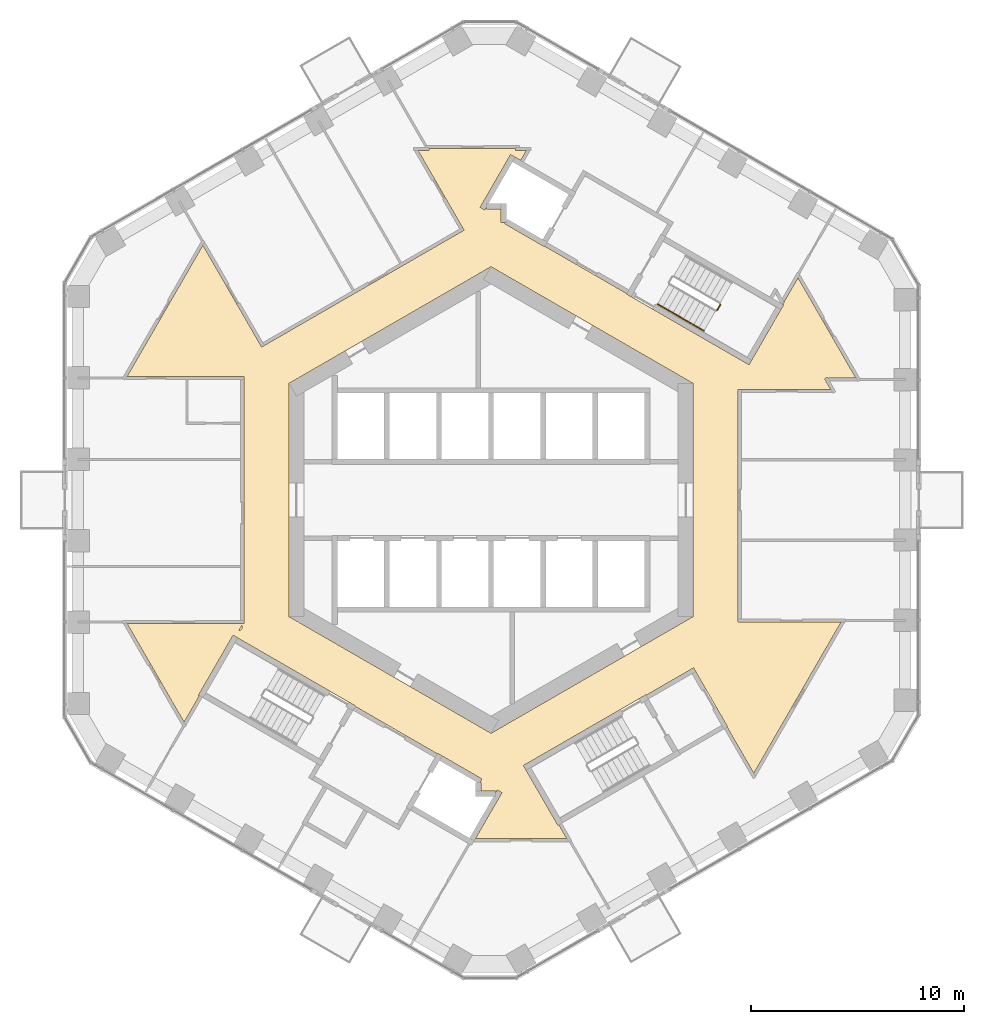
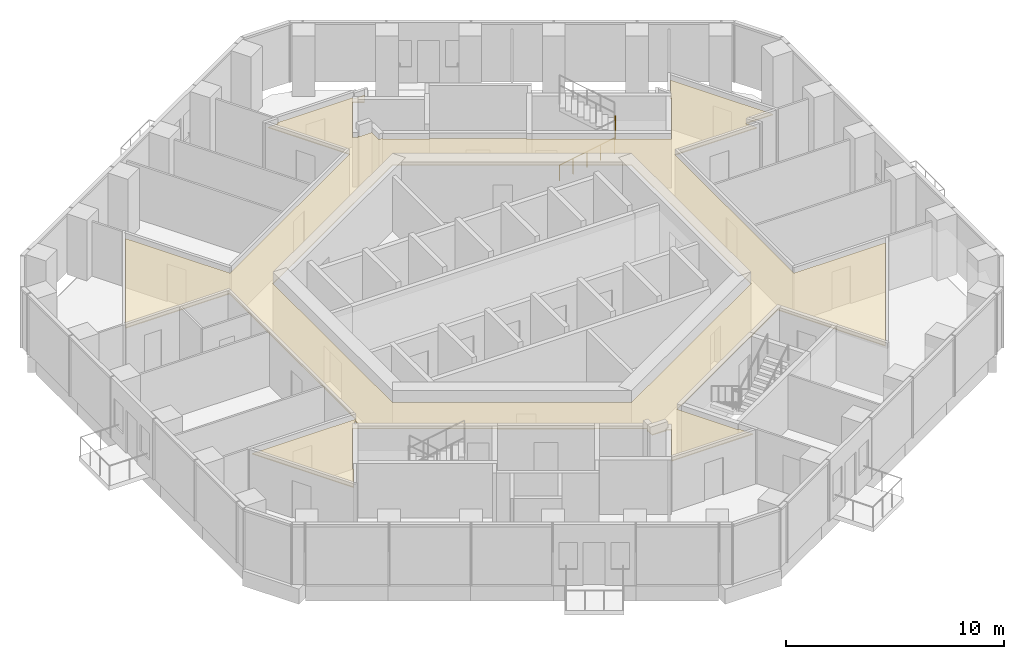
# One storey, part 19 of 20: 3 railings, 1 covering.
"""IFC4 building model written with IfcOpenShell, lengths in metres."""

from ifc_helpers import new_model, si_unit, direction, frame, origin, origin_2d, place, context, subcontext, project, spatial, polyline, circle, outline, extrude, material, layer, layer_set, type_object, element, save


model = new_model("IFC4")

# Units and contexts
model_context = context("Model", 3, precision=1e-05, world=origin(), true_north=direction((0.0, 1.0)))
body_context = subcontext(model_context, "Body", "Model", "MODEL_VIEW")
ifc_project = project(units=[si_unit("LENGTHUNIT", "METRE"), si_unit("AREAUNIT", "SQUARE_METRE"), si_unit("VOLUMEUNIT", "CUBIC_METRE"), si_unit("PLANEANGLEUNIT", "RADIAN"), si_unit("MASSUNIT", "GRAM", prefix="KILO")], contexts=[model_context])

# Site, building, storey
site_placement = place(None, origin())
site = spatial("IfcSite", under=ifc_project, at=site_placement, CompositionType="ELEMENT")
building_placement = place(site_placement, origin())
building = spatial("IfcBuilding", under=site, at=building_placement, Name="Ayvan Gate Tower", CompositionType="ELEMENT")
storey_placement = place(building_placement, frame((0.0, 0.0, 86.5)))
storey = spatial("IfcBuildingStorey", under=building, at=storey_placement, Name="L22", CompositionType="ELEMENT", Elevation=86.5)

# Covering
ifc_material_1 = material(Name="Plasterboard suspended ceiling")
ifc_layer = layer(ifc_material_1, 0.050048828125)
ifc_layer_set = layer_set([ifc_layer], Name="Plasterboard suspended ceiling")
covering_type = type_object("IfcCoveringType", Name="CT-SUSP-50", PredefinedType="CEILING", material=ifc_layer_set)
covering_placement = place(storey_placement, frame((0.0, 0.0, 2.699951171875)))
element("IfcCovering", 1, at=covering_placement, inside=storey, type_object=covering_type, Name="Ceiling Ring Corridor L22", PredefinedType="CEILING", context=body_context, shape_type="SweptSolid", body=[
    extrude(outline(polyline([(-11.625, 5.806396484375), (-17.11669921875, 5.806396484375), (-13.55126953125, 11.98193359375), (-10.78759765625, 7.1953125), (-10.65771484375, 7.270263671875), (-1.2705078125, 12.689697265625), (-1.33544921875, 12.802490234375), (-3.433349609375, 16.43603515625), (-2.910888671875, 16.43603515625), (-2.910888671875, 16.526611328125), (1.143798828125, 16.526611328125), (1.143798828125, 16.43603515625), (1.666259765625, 16.43603515625), (1.395263671875, 15.966552734375), (1.135498046875, 16.116455078125), (0.918701171875, 16.241455078125), (-0.511474609375, 13.76416015625), (-0.294921875, 13.63916015625), (-0.215576171875, 13.776611328125), (-0.215576171875, 13.68505859375), (0.47509765625, 13.68505859375), (0.47509765625, 13.03857421875), (0.672119140625, 13.03857421875), (0.645751953125, 12.992919921875), (2.518310546875, 11.91162109375), (2.53076171875, 11.933349609375), (6.384521484375, 9.70849609375), (6.3720703125, 9.686767578125), (6.588623046875, 9.561767578125), (12.131103515625, 6.36181640625), (12.24609375, 6.56103515625), (13.631103515625, 8.959716796875), (13.756103515625, 9.176513671875), (13.681396484375, 9.219482421875), (13.7919921875, 9.283447265625), (13.744384765625, 9.365966796875), (13.7919921875, 9.33837890625), (14.434814453125, 10.45166015625), (17.15234375, 5.74462890625), (15.866943359375, 5.74462890625), (15.866943359375, 5.689697265625), (15.8193359375, 5.772216796875), (15.689453125, 5.697021484375), (15.9794921875, 5.194580078125), (11.625, 5.194580078125), (11.625, -5.74462890625), (16.45947265625, -5.74462890625), (12.356201171875, -12.8515625), (11.102294921875, -10.6796875), (11.123779296875, -10.667236328125), (9.623779296875, -8.069091796875), (9.52392578125, -7.89599609375), (7.2939453125, -9.183349609375), (7.281494140625, -9.16162109375), (1.522216796875, -12.48681640625), (1.647216796875, -12.703369140625), (3.147216796875, -15.30126953125), (3.190673828125, -15.2763671875), (3.566162109375, -15.926513671875), (-0.737060546875, -15.926513671875), (0.511474609375, -13.76416015625), (0.294921875, -13.63916015625), (0.215576171875, -13.776611328125), (0.215576171875, -13.68505859375), (-0.47509765625, -13.68505859375), (-0.47509765625, -13.28857421875), (-0.52783203125, -13.28857421875), (-0.42919921875, -13.117919921875), (-2.284423828125, -12.046630859375), (-2.518310546875, -11.91162109375), (-2.53076171875, -11.933349609375), (-6.384521484375, -9.70849609375), (-6.3720703125, -9.686767578125), (-11.897216796875, -6.49658203125), (-12.131103515625, -6.36181640625), (-13.756103515625, -9.17626953125), (-13.712890625, -9.201416015625), (-14.434814453125, -10.45166015625), (-17.11669921875, -5.806396484375), (-11.625, -5.806396484375), (-11.625, 5.806396484375)]), holes=[polyline([(9.5, 5.48486328125), (8.771728515625, 5.9052734375), (0.0, 10.9697265625), (-8.771728515625, 5.9052734375), (-9.5, 5.48486328125), (-9.5, -5.48486328125), (-8.771728515625, -5.9052734375), (0.0, -10.9697265625), (8.38720703125, -6.127197265625), (8.771728515625, -5.9052734375), (9.5, -5.48486328125), (9.5, 5.48486328125)]), polyline([(-11.699951171875, -6.062255859375), (-11.699951171875, -5.864990234375), (-11.870849609375, -6.160888671875), (-11.699951171875, -6.062255859375)])]), origin(), (0.0, 0.0, 1.0), 0.050048828125),
])

# Railings
ifc_material_2 = material(Name="Stainless steel balustrade", Category="steel")
railing_type_1 = type_object("IfcRailingType", Name="RL-GUARD-1100", PredefinedType="GUARDRAIL", material=ifc_material_2)
railing_1_placement = place(storey_placement, frame((10.6318359375, 8.9248046875, 1.699951171875)))
element("IfcRailing", 2, at=railing_1_placement, inside=storey, type_object=railing_type_1, Name="L22 STS1 stair guard 2", PredefinedType="GUARDRAIL", context=body_context, shape_type="SweptSolid", body=[
    extrude(circle(Radius=0.02392578125, at=origin_2d()), frame((0.0, 0.0, 1.076171875), z_axis=(0.499949632511, 0.866054481515, 0.0), x_axis=(-0.866054481515, 0.499949632511, 0.0)), (0.0, 0.0, 1.0), 0.31005859375),
    extrude(circle(Radius=0.02099609375, at=origin_2d()), origin(), (0.0, 0.0, 1.0), 1.052001953125),
    extrude(circle(Radius=0.02099609375, at=origin_2d()), frame((0.155029296875, 0.2685546875, 0.0)), (0.0, 0.0, 1.0), 1.052001953125),
])
railing_type_2 = type_object("IfcRailingType", Name="RL-HANDRAIL-900", PredefinedType="HANDRAIL", material=ifc_material_2)
railing_2_placement = place(storey_placement, frame((7.8310546875, 9.2138671875, 0.169921875)))
element("IfcRailing", 3, at=railing_2_placement, inside=storey, type_object=railing_type_2, Name="L22 STS1 stair handrail 1", PredefinedType="HANDRAIL", context=body_context, shape_type="SweptSolid", body=[
    extrude(circle(Radius=0.02392578125, at=origin_2d()), frame((0.0, 0.0, 0.8759765625), z_axis=(0.740292964666, -0.42728318766, 0.519033143459), x_axis=(0.499890179513, 0.866088799389, 0.0)), (0.0, 0.0, 1.0), 1.47412109375),
    extrude(circle(Radius=0.02099609375, at=origin_2d()), origin(), (0.0, 0.0, 1.0), 0.851806640625),
    extrude(circle(Radius=0.02099609375, at=origin_2d()), frame((0.545654296875, -0.31494140625, 0.382568359375)), (0.0, 0.0, 1.0), 0.851806640625),
    extrude(circle(Radius=0.02099609375, at=origin_2d()), frame((1.09130859375, -0.6298828125, 0.76513671875)), (0.0, 0.0, 1.0), 0.851806640625),
])
railing_3_placement = place(storey_placement, frame((8.92236328125, 8.583984375, 0.93505859375)))
element("IfcRailing", 4, at=railing_3_placement, inside=storey, type_object=railing_type_2, Name="L22 STS1 stair handrail 2", PredefinedType="HANDRAIL", context=body_context, shape_type="SweptSolid", body=[
    extrude(circle(Radius=0.02392578125, at=origin_2d()), frame((0.0, 0.0, 0.8759765625), z_axis=(0.740229329464, -0.427507697325, 0.518939021976), x_axis=(0.50011940292, 0.865956455501, 0.0)), (0.0, 0.0, 1.0), 1.473876953125),
    extrude(circle(Radius=0.02099609375, at=origin_2d()), origin(), (0.0, 0.0, 1.0), 0.851806640625),
    extrude(circle(Radius=0.02099609375, at=origin_2d()), frame((0.54541015625, -0.31494140625, 0.38232421875)), (0.0, 0.0, 1.0), 0.851806640625),
    extrude(circle(Radius=0.02099609375, at=origin_2d()), frame((1.091064453125, -0.630126953125, 0.764892578125)), (0.0, 0.0, 1.0), 0.851806640625),
])

save(model, "model.ifc")
